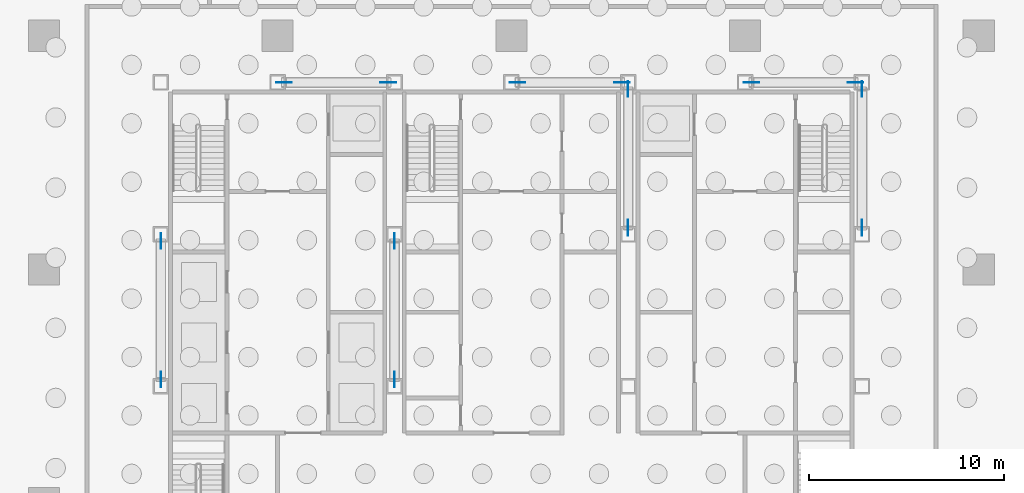
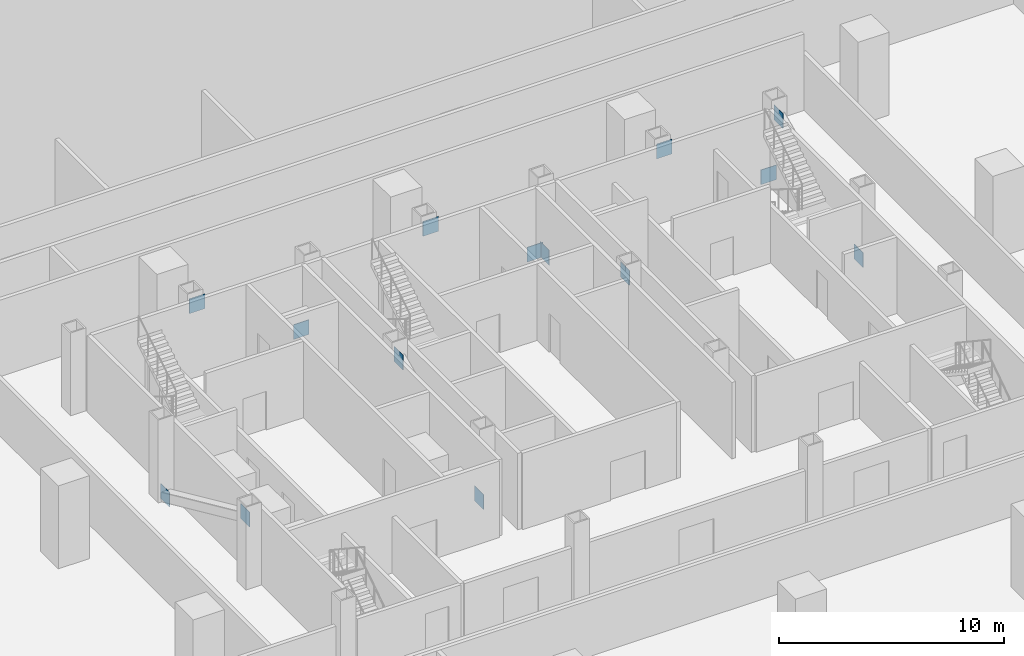
# One storey, part 15 of 18: 14 discrete accessories.
"""IFC4 building model written with IfcOpenShell, lengths in metres."""

import ifcopenshell
import ifcopenshell.guid

model = None  # the IFC model being written
_history = None  # IfcOwnerHistory: only IFC2X3 demands one
_inside = {}  # id of a spatial element -> (the spatial element, [elements in it])
_under = {}  # id of a project, library or spatial element -> (it, [spatial elements below it])
_declared = {}  # id of a project -> (the project, [libraries it declares])
_typed = {}  # id of a type object -> (the type object, [elements of that type])
_made_of = {}  # id of a material, layer set ... -> (it, [elements and type objects made of it])


def new_model(schema):
    """Start an empty IFC model of exactly this schema.

    Asked for "IFC4X3", IfcOpenShell would pick the latest addendum, in which some entities
    have other attributes; the version numbers below select the first issue.
    IFC2X3 requires an IfcOwnerHistory on every rooted entity: one is made here for all.
    """
    global model, _history
    if schema == "IFC4X3":
        model = ifcopenshell.file(schema_version=(4, 3, 0, 0))
    else:
        model = ifcopenshell.file(schema=schema)
    _inside.clear()
    _under.clear()
    _declared.clear()
    _typed.clear()
    _made_of.clear()
    _history = None
    if model.schema == "IFC2X3":
        org = make("IfcOrganization", Name="unknown")
        user = make(
            "IfcPersonAndOrganization",
            ThePerson=make("IfcPerson", FamilyName="unknown"),
            TheOrganization=org,
        )
        app = make(
            "IfcApplication",
            ApplicationDeveloper=org,
            Version="unknown",
            ApplicationFullName="unknown",
            ApplicationIdentifier="unknown",
        )
        _history = make(
            "IfcOwnerHistory",
            OwningUser=user,
            OwningApplication=app,
            ChangeAction="ADDED",
            CreationDate=0,
        )
    return model


def make(cls, **values):
    """One entity of the class cls with the attributes given. An attribute that is None is left unset."""
    return model.create_entity(
        cls, **{name: value for name, value in values.items() if value is not None}
    )


def rooted(cls, **values):
    """An entity with a GlobalId (a new one), such as an element, a storey or a relation."""
    return make(cls, GlobalId=ifcopenshell.guid.new(), OwnerHistory=_history, **values)


def si_unit(unit_type, name, prefix=None):
    """IfcSIUnit, for example si_unit("LENGTHUNIT", "METRE", prefix="MILLI")."""
    return make("IfcSIUnit", UnitType=unit_type, Prefix=prefix, Name=name)


def assignment(units):
    """IfcUnitAssignment: the units of a project."""
    return None if units is None else make("IfcUnitAssignment", Units=units)


def point(xyz):
    """IfcCartesianPoint."""
    return None if xyz is None else make("IfcCartesianPoint", Coordinates=xyz)


def direction(xyz):
    """IfcDirection."""
    return None if xyz is None else make("IfcDirection", DirectionRatios=xyz)


def frame(location, z_axis=None, x_axis=None):
    """IfcAxis2Placement3D, a coordinate frame: its origin and axes. An axis left out is left unset."""
    return make(
        "IfcAxis2Placement3D",
        Location=point(location),
        Axis=direction(z_axis),
        RefDirection=direction(x_axis),
    )


def frame_2d(location, x_axis=None):
    """IfcAxis2Placement2D, a coordinate frame in the plane: its origin and x axis."""
    return make(
        "IfcAxis2Placement2D", Location=point(location), RefDirection=direction(x_axis)
    )


def origin():
    """The frame at (0, 0, 0) with its axes left unset."""
    return frame((0.0, 0.0, 0.0))


def origin_2d():
    """The frame at (0, 0) in the plane with its x axis left unset."""
    return frame_2d((0.0, 0.0))


def place(relative_to, where):
    """IfcLocalPlacement: puts the frame where relative to a parent placement (None: the world)."""
    return make(
        "IfcLocalPlacement", PlacementRelTo=relative_to, RelativePlacement=where
    )


def context(
    kind, dimensions, precision=None, world=None, true_north=None, identifier=None
):
    """IfcGeometricRepresentationContext, for example the 3D "Model" context."""
    return make(
        "IfcGeometricRepresentationContext",
        ContextIdentifier=identifier,
        ContextType=kind,
        CoordinateSpaceDimension=dimensions,
        Precision=precision,
        WorldCoordinateSystem=world,
        TrueNorth=true_north,
    )


def subcontext(parent, identifier, kind, view, scale=None):
    """IfcGeometricRepresentationSubContext, for example "Body" below "Model"."""
    return make(
        "IfcGeometricRepresentationSubContext",
        ContextIdentifier=identifier,
        ContextType=kind,
        ParentContext=parent,
        TargetScale=scale,
        TargetView=view,
    )


def project(units=None, contexts=None):
    """IfcProject with its units and contexts."""
    return rooted(
        "IfcProject",
        Name="project",
        RepresentationContexts=contexts,
        UnitsInContext=assignment(units),
    )


def spatial(cls, under=None, at=None, **own):
    """A site, building, storey or space (cls), placed at a placement, below another one or the project."""
    s = rooted(cls, ObjectPlacement=at, **own)
    if under is not None:
        _under.setdefault(under.id(), (under, []))[1].append(s)
    return s


def profile(cls, at=None, kind="AREA", **sizes):
    """A parametric profile (cls). Its sizes go by their IFC names, for example OverallWidth=200.0."""
    return make(cls, ProfileType=kind, Position=at, **sizes)


def rectangle(**sizes):
    """IfcRectangleProfileDef."""
    return profile("IfcRectangleProfileDef", **sizes)


def extrude(swept, where, along, depth):
    """IfcExtrudedAreaSolid: the profile swept, set in the frame where, extruded along a direction by depth."""
    return make(
        "IfcExtrudedAreaSolid",
        SweptArea=swept,
        Position=where,
        ExtrudedDirection=direction(along),
        Depth=depth,
    )


def shape(context_of_items, identifier, shape_type, items):
    """IfcShapeRepresentation: the items that make up one representation, for example the "Body"."""
    return make(
        "IfcShapeRepresentation",
        ContextOfItems=context_of_items,
        RepresentationIdentifier=identifier,
        RepresentationType=shape_type,
        Items=items,
    )


def material(Name=None, Category=None):
    """IfcMaterial."""
    return make("IfcMaterial", Name=Name, Category=Category)


def layer(
    of_material, thickness, ventilated=None, Name=None, Category=None, Priority=None
):
    """IfcMaterialLayer: one layer of a wall or slab, of a material (None: an air gap)."""
    return make(
        "IfcMaterialLayer",
        Material=of_material,
        LayerThickness=thickness,
        IsVentilated=ventilated,
        Name=Name,
        Category=Category,
        Priority=Priority,
    )


def layer_set(layers, Name=None):
    """IfcMaterialLayerSet."""
    return make("IfcMaterialLayerSet", MaterialLayers=layers, LayerSetName=Name)


def made_of(thing, what):
    """Note that an element or type object is made of a material, layer set ...; save() writes the relation."""
    if what is not None:
        _made_of.setdefault(what.id(), (what, []))[1].append(thing)
    return thing


def type_object(cls, material=None, **own):
    """A type object (cls), such as IfcWallType, which elements share."""
    return made_of(rooted(cls, **own), material)


def element(
    cls,
    number,
    at=None,
    inside=None,
    cuts=None,
    type_object=None,
    material=None,
    context=None,
    identifier="Body",
    shape_type=None,
    held_by="IfcProductDefinitionShape",
    body=None,
    shapes=None,
    **own,
):
    """One element of the class cls, such as IfcWall. Its Tag is "e" and its number.

    at: its placement. inside: the storey or other place that contains it. cuts: it is an
    opening in that element (IfcRelVoidsElement). A single representation is given by context,
    identifier, shape_type and body (its items); several are given by shapes. held_by: the class
    of the entity that holds the representations. save() writes the other relations.
    """
    e = rooted(cls, Tag="e%d" % number, ObjectPlacement=at, **own)
    if body is not None:
        shapes = [shape(context, identifier, shape_type, body)]
    if shapes is not None:
        e.Representation = make(held_by, Representations=shapes)
    if inside is not None:
        _inside.setdefault(inside.id(), (inside, []))[1].append(e)
    if cuts is not None:
        rooted(
            "IfcRelVoidsElement", RelatingBuildingElement=cuts, RelatedOpeningElement=e
        )
    if type_object is not None:
        _typed.setdefault(type_object.id(), (type_object, []))[1].append(e)
    return made_of(e, material)


def aggregate(whole, parts):
    """IfcRelAggregates: a whole, such as a stair, and the parts it consists of."""
    return rooted("IfcRelAggregates", RelatingObject=whole, RelatedObjects=parts)


def save(model, path):
    """Write the relations noted so far, then the file.

    IfcRelAggregates (storeys below a building ...), IfcRelContainedInSpatialStructure (elements
    in a storey), IfcRelDefinesByType, IfcRelAssociatesMaterial and IfcRelDeclares: one each for
    every whole, place, type object, material and project.
    """
    for whole, parts in _under.values():
        aggregate(whole, parts)
    for where, things in _inside.values():
        rooted(
            "IfcRelContainedInSpatialStructure",
            RelatedElements=things,
            RelatingStructure=where,
        )
    for kind, things in _typed.values():
        rooted("IfcRelDefinesByType", RelatedObjects=things, RelatingType=kind)
    for what, things in _made_of.values():
        rooted("IfcRelAssociatesMaterial", RelatedObjects=things, RelatingMaterial=what)
    for by, libraries in _declared.values():
        rooted("IfcRelDeclares", RelatingContext=by, RelatedDefinitions=libraries)
    model.write(path)


model = new_model("IFC4")

# Units and contexts
model_context = context("Model", 3, precision=1e-05, world=origin(), true_north=direction((0.0, 1.0)))
body_context = subcontext(model_context, "Body", "Model", "MODEL_VIEW")
ifc_project = project(units=[si_unit("LENGTHUNIT", "METRE"), si_unit("AREAUNIT", "SQUARE_METRE"), si_unit("VOLUMEUNIT", "CUBIC_METRE"), si_unit("PLANEANGLEUNIT", "RADIAN"), si_unit("MASSUNIT", "GRAM", prefix="KILO")], contexts=[model_context])

# Site, building, storey
site_placement = place(None, origin())
site = spatial("IfcSite", under=ifc_project, at=site_placement, CompositionType="ELEMENT")
building_placement = place(site_placement, origin())
building = spatial("IfcBuilding", under=site, at=building_placement, Name="Sorahane Residences", CompositionType="ELEMENT")
storey_placement = place(building_placement, frame((0.0, 0.0, -13.5)))
storey = spatial("IfcBuildingStorey", under=building, at=storey_placement, Name="B3", CompositionType="ELEMENT", Elevation=-13.5)

# Discrete accessories
ifc_material = material(Name="Steel Q355B", Category="steel")
ifc_layer = layer(ifc_material, 0.02490234375)
ifc_layer_set = layer_set([ifc_layer], Name="Node plate Steel Q355B 25")
discrete_accessory_type = type_object("IfcDiscreteAccessoryType", Name="Node plate Steel Q355B 25", PredefinedType="BRACKET", material=ifc_layer_set)
for number, where, z_axis, x_axis, name in (
    (1, (6.0, 37.4619140625, -0.158203125), (0.0, 0.0, 1.0), (0.0, 1.0, 0.0), "Node plate B3 br"),
    (2, (6.0, 30.337890625, 3.078125), (0.0, 0.0, 1.0), (0.0, 1.0, 0.0), "Node plate B3 br"),
    (3, (18.0, 30.337890625, -0.158203125), (0.0, 0.0, 1.0), (0.0, 1.0, 0.0), "Node plate B3 br"),
    (4, (18.0, 37.4619140625, 3.078125), (0.0, 0.0, 1.0), (0.0, 1.0, 0.0), "Node plate B3 br"),
    (5, (30.0, 45.261962890625, -0.158203125), (0.0, 0.0, 1.0), (0.0, 1.0, 0.0), "Node plate B3 br"),
    (6, (30.0, 38.137939453125, 3.078125), (0.0, 0.0, 1.0), (0.0, 1.0, 0.0), "Node plate B3 br"),
    (7, (42.0, 38.137939453125, -0.158203125), (0.0, 0.0, 1.0), (0.0, 1.0, 0.0), "Node plate B3 br"),
    (8, (42.0, 45.261962890625, 3.078125), (0.0, 0.0, 1.0), (0.0, 1.0, 0.0), "Node plate B3 br"),
    (9, (17.67822265625, 45.60009765625, -0.177734375), (0.0, 0.0, 1.0), (1.0, 0.0, 0.0), "Node plate B3 br"),
    (10, (29.67822265625, 45.60009765625, -0.177734375), (0.0, 0.0, 1.0), (1.0, 0.0, 0.0), "Node plate B3 br"),
    (11, (41.67822265625, 45.60009765625, -0.177734375), (0.0, 0.0, 1.0), (1.0, 0.0, 0.0), "Node plate B3 br"),
    (12, (12.32177734375, 45.60009765625, 3.09765625), (0.0, 0.0, 1.0), (1.0, 0.0, 0.0), "Node plate B3 br"),
    (13, (24.32177734375, 45.60009765625, 3.09765625), (0.0, 0.0, 1.0), (1.0, 0.0, 0.0), "Node plate B3 br"),
    (14, (36.32177734375, 45.60009765625, 3.09765625), (0.0, 0.0, 1.0), (1.0, 0.0, 0.0), "Node plate B3 br"),
):
    element("IfcDiscreteAccessory", number, at=place(storey_placement, frame(where, z_axis=z_axis, x_axis=x_axis)), inside=storey, type_object=discrete_accessory_type, Name=name, PredefinedType="BRACKET", context=body_context, shape_type="SweptSolid", body=[
        extrude(rectangle(XDim=0.800048828125, YDim=0.02490234375, at=origin_2d()), origin(), (0.0, 0.0, 1.0), 0.800048828125),
    ])

save(model, "model.ifc")
